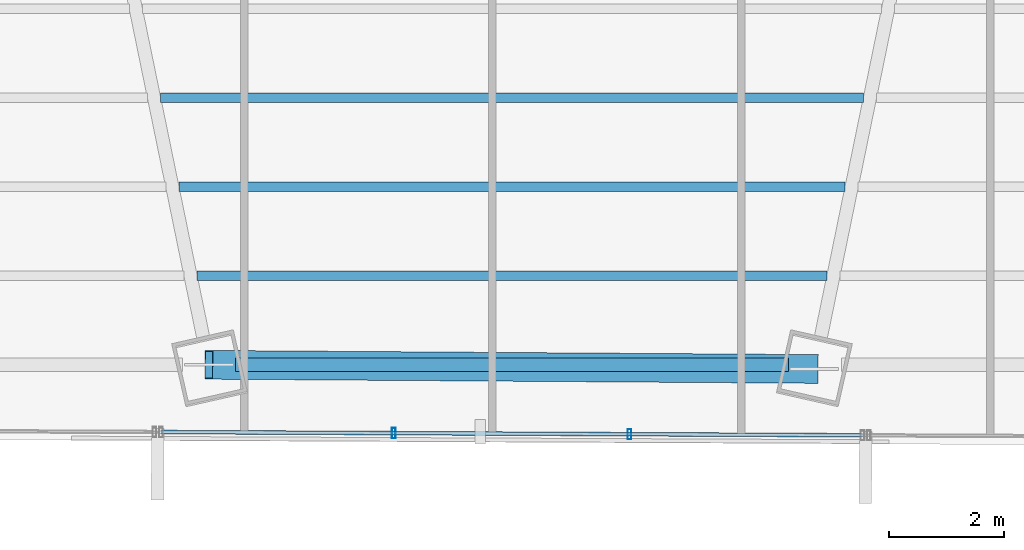
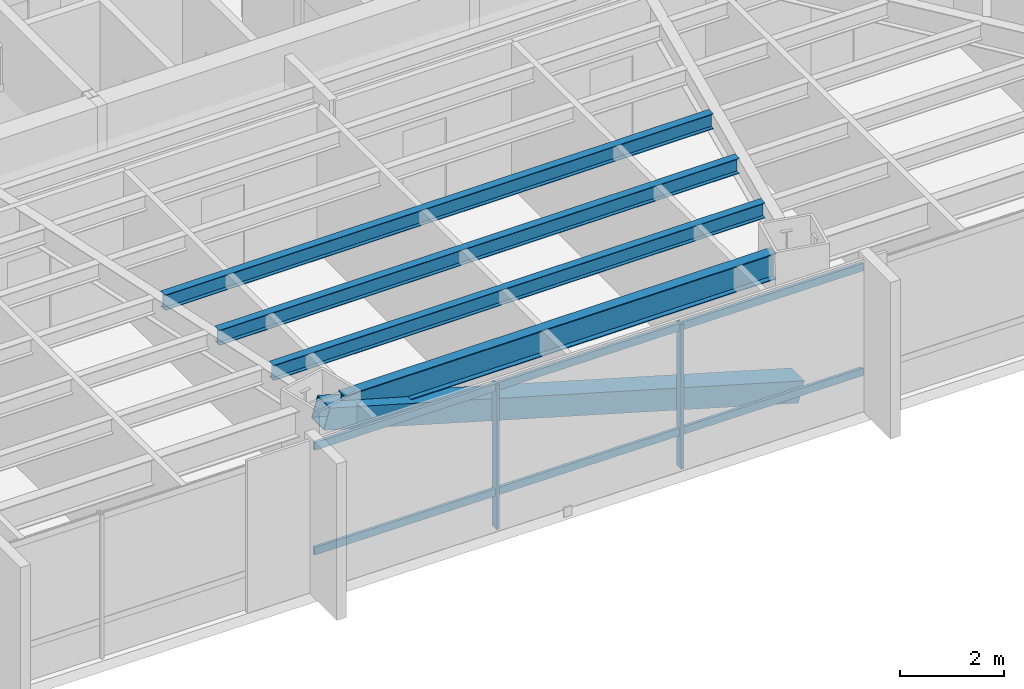
# One storey, part 9 of 36: 5 members, 4 beams, 1 element without a shape of its own.
"""IFC4 building model written with IfcOpenShell, lengths in metres."""

from ifc_helpers import new_model, si_unit, direction, frame, origin, origin_2d, place, context, subcontext, project, spatial, hollow_rectangle, i_section, extrude, source, transform, mapped, material, material_profile, profile_set, type_object, type_shapes, element, aggregate, save


model = new_model("IFC4")

# Units and contexts
model_context = context("Model", 3, precision=1e-05, world=origin(), true_north=direction((0.0, 1.0)))
body_context = subcontext(model_context, "Body", "Model", "MODEL_VIEW")
ifc_project = project(units=[si_unit("LENGTHUNIT", "METRE"), si_unit("AREAUNIT", "SQUARE_METRE"), si_unit("VOLUMEUNIT", "CUBIC_METRE"), si_unit("PLANEANGLEUNIT", "RADIAN"), si_unit("MASSUNIT", "GRAM", prefix="KILO")], contexts=[model_context])

# Site, building, storey
site_placement = place(None, origin())
site = spatial("IfcSite", under=ifc_project, at=site_placement, CompositionType="ELEMENT")
building_placement = place(site_placement, origin())
building = spatial("IfcBuilding", under=site, at=building_placement, Name="Caelisora Broadcast Tower", CompositionType="ELEMENT")
storey_placement = place(building_placement, frame((0.0, 0.0, 112.699951171875)))
storey = spatial("IfcBuildingStorey", under=building, at=storey_placement, Name="L29", CompositionType="ELEMENT", Elevation=112.699951171875)

# Beams
ifc_material_1 = material(Name="Steel Grade 350 (AS/NZS 3679.1)", Category="steel")
ifc_material_profile_1 = material_profile(ifc_material_1, i_section(OverallWidth=0.22900390625, OverallDepth=0.611572265625, WebThickness=0.011962890625, FlangeThickness=0.01953125, at=origin_2d()), Name="Steel Grade 350 (AS/NZS 3679.1)")
ifc_profile_set_1 = profile_set([ifc_material_profile_1], Name="Steel Grade 350 (AS/NZS 3679.1)")
beam_type_1 = type_object("IfcBeamType", Name="PG03", PredefinedType="BEAM", material=ifc_profile_set_1)
shared_shape_1 = source(origin(), body_context, "Body", "SweptSolid", [
    extrude(i_section(OverallWidth=0.22900390625, OverallDepth=0.611572265625, WebThickness=0.011962890625, FlangeThickness=0.01953125, at=origin_2d()), origin(), (0.0, 0.0, 1.0), 9.6318359375),
])
type_shapes(beam_type_1, [shared_shape_1])
beam_1_placement = place(storey_placement, frame((33.18408203125, 6.557861328125, 3.09423828125), z_axis=(1.0, 0.0, 0.0), x_axis=(0.0, 1.0, 0.0)))
element("IfcBeam", 1, at=beam_1_placement, inside=storey, type_object=beam_type_1, Name="L29 beam PG03", PredefinedType="BEAM", context=body_context, shape_type="MappedRepresentation", body=[
    mapped(shared_shape_1, transform((0.0, 0.0, 0.0), scale=1.0)),
])
ifc_material_profile_2 = material_profile(ifc_material_1, i_section(OverallWidth=0.172119140625, OverallDepth=0.358642578125, WebThickness=0.008056640625, FlangeThickness=0.012939453125, at=origin_2d()), Name="Steel Grade 350 (AS/NZS 3679.1)")
ifc_profile_set_2 = profile_set([ifc_material_profile_2], Name="Steel Grade 350 (AS/NZS 3679.1)")
beam_type_2 = type_object("IfcBeamType", Name="SB02", PredefinedType="JOIST", material=ifc_profile_set_2)
shared_shape_2 = source(origin(), body_context, "Body", "SweptSolid", [
    extrude(i_section(OverallWidth=0.172119140625, OverallDepth=0.358642578125, WebThickness=0.008056640625, FlangeThickness=0.012939453125, at=origin_2d()), origin(), (0.0, 0.0, 1.0), 12.2314453125),
])
beam_2_placement = place(storey_placement, frame((31.88427734375, 11.20458984375, 3.220703125), z_axis=(1.0, 0.0, 0.0), x_axis=(0.0, 1.0, 0.0)))
element("IfcBeam", 2, at=beam_2_placement, inside=storey, type_object=beam_type_2, Name="L29 beam SB02", PredefinedType="JOIST", context=body_context, shape_type="MappedRepresentation", body=[
    mapped(shared_shape_2, transform((0.0, 0.0, 0.0), scale=1.0)),
])
shared_shape_3 = source(origin(), body_context, "Body", "SweptSolid", [
    extrude(i_section(OverallWidth=0.172119140625, OverallDepth=0.358642578125, WebThickness=0.008056640625, FlangeThickness=0.012939453125, at=origin_2d()), origin(), (0.0, 0.0, 1.0), 11.59619140625),
])
beam_3_placement = place(storey_placement, frame((32.201904296875, 9.655517578125, 3.220703125), z_axis=(1.0, 0.0, 0.0), x_axis=(0.0, 1.0, 0.0)))
element("IfcBeam", 3, at=beam_3_placement, inside=storey, type_object=beam_type_2, Name="L29 beam SB02", PredefinedType="JOIST", context=body_context, shape_type="MappedRepresentation", body=[
    mapped(shared_shape_3, transform((0.0, 0.0, 0.0), scale=1.0)),
])
shared_shape_4 = source(origin(), body_context, "Body", "SweptSolid", [
    extrude(i_section(OverallWidth=0.172119140625, OverallDepth=0.358642578125, WebThickness=0.008056640625, FlangeThickness=0.012939453125, at=origin_2d()), origin(), (0.0, 0.0, 1.0), 10.96044921875),
])
type_shapes(beam_type_2, [shared_shape_2, shared_shape_3, shared_shape_4])
beam_4_placement = place(storey_placement, frame((32.519775390625, 8.106689453125, 3.220703125), z_axis=(1.0, 0.0, 0.0), x_axis=(0.0, 1.0, 0.0)))
element("IfcBeam", 4, at=beam_4_placement, inside=storey, type_object=beam_type_2, Name="L29 beam SB02", PredefinedType="JOIST", context=body_context, shape_type="MappedRepresentation", body=[
    mapped(shared_shape_4, transform((0.0, 0.0, 0.0), scale=1.0)),
])

# Member
ifc_material_2 = material(Name="Steel Grade 450 L15 (AS/NZS 3678)", Category="steel")
ifc_material_profile_3 = material_profile(ifc_material_2, hollow_rectangle(XDim=0.5, YDim=0.5, WallThickness=0.02001953125, at=origin_2d()), Name="Steel Grade 450 L15 (AS/NZS 3678)")
ifc_profile_set_3 = profile_set([ifc_material_profile_3], Name="Steel Grade 450 L15 (AS/NZS 3678)")
member_type_1 = type_object("IfcMemberType", Name="BR02", PredefinedType="BRACE", material=ifc_profile_set_3)
shared_shape_5 = source(origin(), body_context, "Body", "SweptSolid", [
    extrude(hollow_rectangle(XDim=0.5, YDim=0.5, WallThickness=0.02001953125, at=origin_2d()), origin(), (0.0, 0.0, 1.0), 10.954345703125),
])
type_shapes(member_type_1, [shared_shape_5])
member_1_placement = place(storey_placement, frame((32.72412109375, 6.557861328125, 3.10009765625), z_axis=(0.961746540383, -0.006596922021, -0.273861411448), x_axis=(0.006859153172, 0.999976475732, 0.0)))
element("IfcMember", 5, at=member_1_placement, inside=storey, type_object=member_type_1, Name="L29 perimeter brace BR02", PredefinedType="BRACE", context=body_context, shape_type="MappedRepresentation", body=[
    mapped(shared_shape_5, transform((0.0, 0.0, 0.0), scale=1.0)),
])

# Curtain wall, members
ifc_material_3 = material(Name="Unitised Aluminium Insulated Shadow-Box Spandrel Curtain Wall", Category="aluminium")
curtain_wall_type = type_object("IfcCurtainWallType", Name="CW-SP1", PredefinedType="NOTDEFINED", material=ifc_material_3)
curtain_wall_placement = place(storey_placement, origin())
curtain_wall = element("IfcCurtainWall", 6, at=curtain_wall_placement, inside=storey, type_object=curtain_wall_type, Name="L29 curtain wall CW-SP1", PredefinedType="NOTDEFINED")
ifc_material_4 = material(Name="Aluminium 6063-T6 Anodised Terracotta Bronze", Category="aluminium")
ifc_material_profile_4 = material_profile(ifc_material_4, hollow_rectangle(XDim=0.06494140625, YDim=0.179931640625, WallThickness=0.00341796875, at=origin_2d()), Name="Aluminium 6063-T6 Anodised Terracotta Bronze")
ifc_profile_set_4 = profile_set([ifc_material_profile_4], Name="Aluminium 6063-T6 Anodised Terracotta Bronze")
member_type_2 = type_object("IfcMemberType", Name="CWM-02", PredefinedType="MULLION", material=ifc_profile_set_4)
shared_shape_6 = source(origin(), body_context, "Body", "SweptSolid", [
    extrude(hollow_rectangle(XDim=0.06494140625, YDim=0.179931640625, WallThickness=0.00341796875, at=origin_2d()), origin(), (0.0, 0.0, 1.0), 3.400146484375),
])
type_shapes(member_type_2, [shared_shape_6])
member_2_placement = place(storey_placement, frame((40.046142578125, 5.35009765625, 0.0), z_axis=(0.0, 0.0, 1.0), x_axis=(1.0, 0.0, 0.0)))
member_2 = element("IfcMember", 7, at=member_2_placement, type_object=member_type_2, Name="L29-CW-B06 mullion #1", PredefinedType="MULLION", context=body_context, shape_type="MappedRepresentation", body=[
    mapped(shared_shape_6, transform((0.0, 0.0, 0.0), scale=1.0)),
])
member_3_placement = place(storey_placement, frame((35.943359375, 5.368896484375, 0.0), z_axis=(0.0, 0.0, 1.0), x_axis=(1.0, 0.0, 0.0)))
member_3 = element("IfcMember", 8, at=member_3_placement, type_object=member_type_2, Name="L29-CW-B06 mullion #2", PredefinedType="MULLION", context=body_context, shape_type="MappedRepresentation", body=[
    mapped(shared_shape_6, transform((0.0, 0.0, 0.0), scale=1.0)),
])
ifc_material_profile_5 = material_profile(ifc_material_4, hollow_rectangle(XDim=0.06494140625, YDim=0.179931640625, WallThickness=0.00341796875, at=origin_2d()), Name="Aluminium 6063-T6 Anodised Terracotta Bronze")
ifc_profile_set_5 = profile_set([ifc_material_profile_5], Name="Aluminium 6063-T6 Anodised Terracotta Bronze")
member_type_3 = type_object("IfcMemberType", Name="CWT-01", PredefinedType="USERDEFINED", material=ifc_profile_set_5)
shared_shape_7 = source(origin(), body_context, "Body", "SweptSolid", [
    extrude(hollow_rectangle(XDim=0.06494140625, YDim=0.179931640625, WallThickness=0.00341796875, at=origin_2d()), origin(), (0.0, 0.0, 1.0), 12.208984375),
])
type_shapes(member_type_3, [shared_shape_7])
member_4_placement = place(storey_placement, frame((44.09912109375, 5.331298828125, 0.85009765625), z_axis=(-0.999989330958, 0.004619304006, 0.0), x_axis=(-0.004619304006, -0.999989330958, 0.0)))
member_4 = element("IfcMember", 9, at=member_4_placement, type_object=member_type_3, Name="L29-CW-B06 transom #1", ObjectType="TRANSOM", PredefinedType="USERDEFINED", context=body_context, shape_type="MappedRepresentation", body=[
    mapped(shared_shape_7, transform((0.0, 0.0, 0.0), scale=1.0)),
])
member_5_placement = place(storey_placement, frame((44.09912109375, 5.331298828125, 3.320068359375), z_axis=(-0.999989330958, 0.004619304006, 0.0), x_axis=(-0.004619304006, -0.999989330958, 0.0)))
member_5 = element("IfcMember", 10, at=member_5_placement, type_object=member_type_3, Name="L29-CW-B06 transom #2", ObjectType="TRANSOM", PredefinedType="USERDEFINED", context=body_context, shape_type="MappedRepresentation", body=[
    mapped(shared_shape_7, transform((0.0, 0.0, 0.0), scale=1.0)),
])
aggregate(curtain_wall, [member_2, member_3, member_4, member_5])

save(model, "model.ifc")
